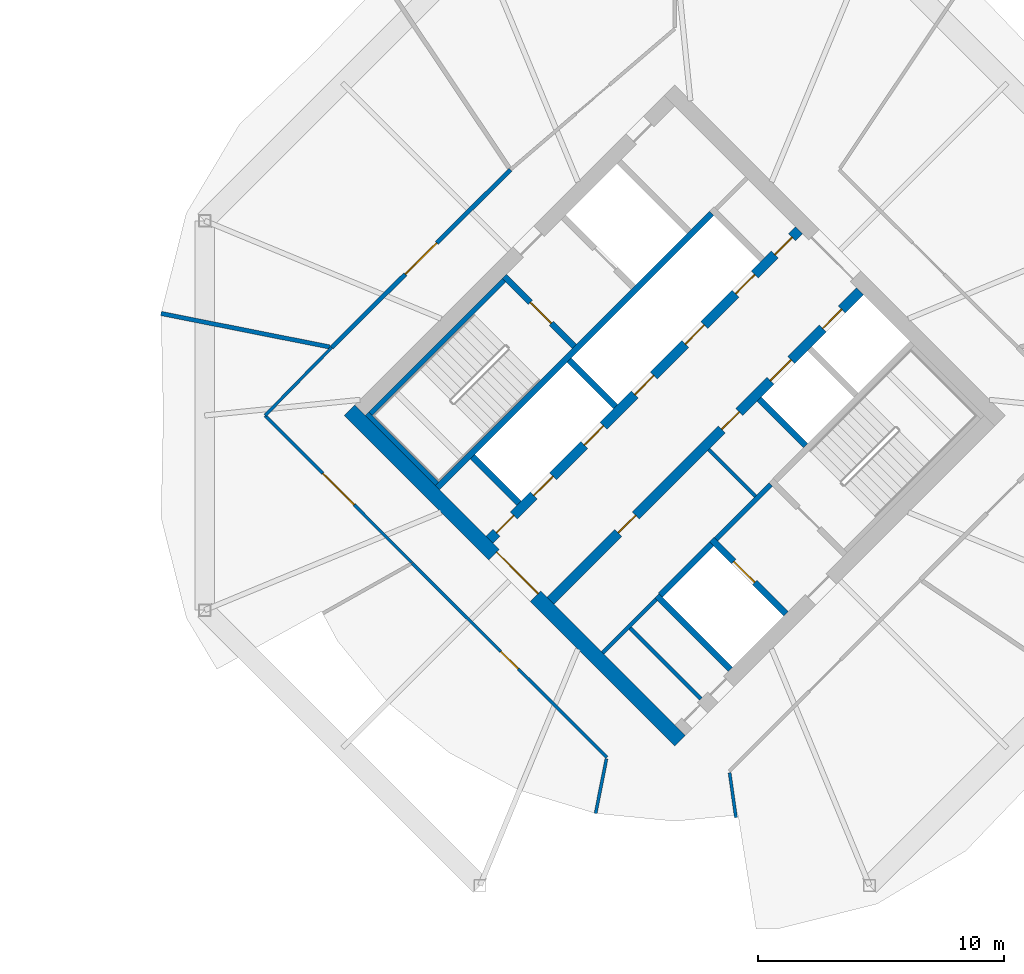
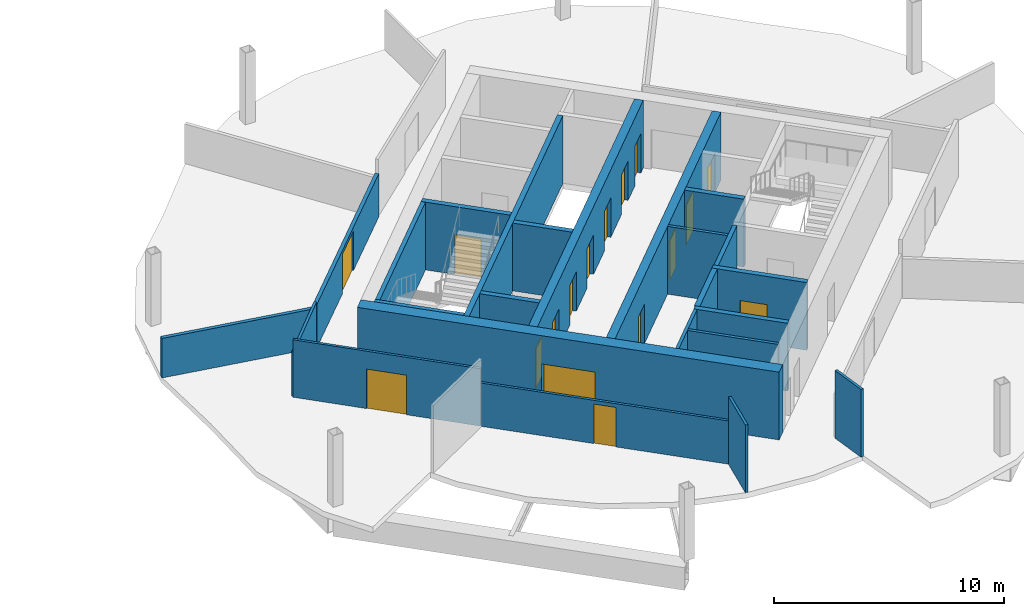
# One storey, part 7 of 10: 24 walls, 17 doors, 17 openings.
"""IFC4 building model written with IfcOpenShell, lengths in metres."""

import ifcopenshell
import ifcopenshell.guid

model = None  # the IFC model being written
_history = None  # IfcOwnerHistory: only IFC2X3 demands one
_inside = {}  # id of a spatial element -> (the spatial element, [elements in it])
_under = {}  # id of a project, library or spatial element -> (it, [spatial elements below it])
_declared = {}  # id of a project -> (the project, [libraries it declares])
_typed = {}  # id of a type object -> (the type object, [elements of that type])
_made_of = {}  # id of a material, layer set ... -> (it, [elements and type objects made of it])


def new_model(schema):
    """Start an empty IFC model of exactly this schema.

    Asked for "IFC4X3", IfcOpenShell would pick the latest addendum, in which some entities
    have other attributes; the version numbers below select the first issue.
    IFC2X3 requires an IfcOwnerHistory on every rooted entity: one is made here for all.
    """
    global model, _history
    if schema == "IFC4X3":
        model = ifcopenshell.file(schema_version=(4, 3, 0, 0))
    else:
        model = ifcopenshell.file(schema=schema)
    _inside.clear()
    _under.clear()
    _declared.clear()
    _typed.clear()
    _made_of.clear()
    _history = None
    if model.schema == "IFC2X3":
        org = make("IfcOrganization", Name="unknown")
        user = make(
            "IfcPersonAndOrganization",
            ThePerson=make("IfcPerson", FamilyName="unknown"),
            TheOrganization=org,
        )
        app = make(
            "IfcApplication",
            ApplicationDeveloper=org,
            Version="unknown",
            ApplicationFullName="unknown",
            ApplicationIdentifier="unknown",
        )
        _history = make(
            "IfcOwnerHistory",
            OwningUser=user,
            OwningApplication=app,
            ChangeAction="ADDED",
            CreationDate=0,
        )
    return model


def make(cls, **values):
    """One entity of the class cls with the attributes given. An attribute that is None is left unset."""
    return model.create_entity(
        cls, **{name: value for name, value in values.items() if value is not None}
    )


def rooted(cls, **values):
    """An entity with a GlobalId (a new one), such as an element, a storey or a relation."""
    return make(cls, GlobalId=ifcopenshell.guid.new(), OwnerHistory=_history, **values)


def si_unit(unit_type, name, prefix=None):
    """IfcSIUnit, for example si_unit("LENGTHUNIT", "METRE", prefix="MILLI")."""
    return make("IfcSIUnit", UnitType=unit_type, Prefix=prefix, Name=name)


def assignment(units):
    """IfcUnitAssignment: the units of a project."""
    return None if units is None else make("IfcUnitAssignment", Units=units)


def point(xyz):
    """IfcCartesianPoint."""
    return None if xyz is None else make("IfcCartesianPoint", Coordinates=xyz)


def direction(xyz):
    """IfcDirection."""
    return None if xyz is None else make("IfcDirection", DirectionRatios=xyz)


def frame(location, z_axis=None, x_axis=None):
    """IfcAxis2Placement3D, a coordinate frame: its origin and axes. An axis left out is left unset."""
    return make(
        "IfcAxis2Placement3D",
        Location=point(location),
        Axis=direction(z_axis),
        RefDirection=direction(x_axis),
    )


def frame_2d(location, x_axis=None):
    """IfcAxis2Placement2D, a coordinate frame in the plane: its origin and x axis."""
    return make(
        "IfcAxis2Placement2D", Location=point(location), RefDirection=direction(x_axis)
    )


def origin():
    """The frame at (0, 0, 0) with its axes left unset."""
    return frame((0.0, 0.0, 0.0))


def place(relative_to, where):
    """IfcLocalPlacement: puts the frame where relative to a parent placement (None: the world)."""
    return make(
        "IfcLocalPlacement", PlacementRelTo=relative_to, RelativePlacement=where
    )


def context(
    kind, dimensions, precision=None, world=None, true_north=None, identifier=None
):
    """IfcGeometricRepresentationContext, for example the 3D "Model" context."""
    return make(
        "IfcGeometricRepresentationContext",
        ContextIdentifier=identifier,
        ContextType=kind,
        CoordinateSpaceDimension=dimensions,
        Precision=precision,
        WorldCoordinateSystem=world,
        TrueNorth=true_north,
    )


def subcontext(parent, identifier, kind, view, scale=None):
    """IfcGeometricRepresentationSubContext, for example "Body" below "Model"."""
    return make(
        "IfcGeometricRepresentationSubContext",
        ContextIdentifier=identifier,
        ContextType=kind,
        ParentContext=parent,
        TargetScale=scale,
        TargetView=view,
    )


def project(units=None, contexts=None):
    """IfcProject with its units and contexts."""
    return rooted(
        "IfcProject",
        Name="project",
        RepresentationContexts=contexts,
        UnitsInContext=assignment(units),
    )


def spatial(cls, under=None, at=None, **own):
    """A site, building, storey or space (cls), placed at a placement, below another one or the project."""
    s = rooted(cls, ObjectPlacement=at, **own)
    if under is not None:
        _under.setdefault(under.id(), (under, []))[1].append(s)
    return s


def profile(cls, at=None, kind="AREA", **sizes):
    """A parametric profile (cls). Its sizes go by their IFC names, for example OverallWidth=200.0."""
    return make(cls, ProfileType=kind, Position=at, **sizes)


def rectangle(**sizes):
    """IfcRectangleProfileDef."""
    return profile("IfcRectangleProfileDef", **sizes)


def extrude(swept, where, along, depth):
    """IfcExtrudedAreaSolid: the profile swept, set in the frame where, extruded along a direction by depth."""
    return make(
        "IfcExtrudedAreaSolid",
        SweptArea=swept,
        Position=where,
        ExtrudedDirection=direction(along),
        Depth=depth,
    )


def shape(context_of_items, identifier, shape_type, items):
    """IfcShapeRepresentation: the items that make up one representation, for example the "Body"."""
    return make(
        "IfcShapeRepresentation",
        ContextOfItems=context_of_items,
        RepresentationIdentifier=identifier,
        RepresentationType=shape_type,
        Items=items,
    )


def material(Name=None, Category=None):
    """IfcMaterial."""
    return make("IfcMaterial", Name=Name, Category=Category)


def layer(
    of_material, thickness, ventilated=None, Name=None, Category=None, Priority=None
):
    """IfcMaterialLayer: one layer of a wall or slab, of a material (None: an air gap)."""
    return make(
        "IfcMaterialLayer",
        Material=of_material,
        LayerThickness=thickness,
        IsVentilated=ventilated,
        Name=Name,
        Category=Category,
        Priority=Priority,
    )


def layer_set(layers, Name=None):
    """IfcMaterialLayerSet."""
    return make("IfcMaterialLayerSet", MaterialLayers=layers, LayerSetName=Name)


def made_of(thing, what):
    """Note that an element or type object is made of a material, layer set ...; save() writes the relation."""
    if what is not None:
        _made_of.setdefault(what.id(), (what, []))[1].append(thing)
    return thing


def type_object(cls, material=None, **own):
    """A type object (cls), such as IfcWallType, which elements share."""
    return made_of(rooted(cls, **own), material)


def element(
    cls,
    number,
    at=None,
    inside=None,
    cuts=None,
    type_object=None,
    material=None,
    context=None,
    identifier="Body",
    shape_type=None,
    held_by="IfcProductDefinitionShape",
    body=None,
    shapes=None,
    **own,
):
    """One element of the class cls, such as IfcWall. Its Tag is "e" and its number.

    at: its placement. inside: the storey or other place that contains it. cuts: it is an
    opening in that element (IfcRelVoidsElement). A single representation is given by context,
    identifier, shape_type and body (its items); several are given by shapes. held_by: the class
    of the entity that holds the representations. save() writes the other relations.
    """
    e = rooted(cls, Tag="e%d" % number, ObjectPlacement=at, **own)
    if body is not None:
        shapes = [shape(context, identifier, shape_type, body)]
    if shapes is not None:
        e.Representation = make(held_by, Representations=shapes)
    if inside is not None:
        _inside.setdefault(inside.id(), (inside, []))[1].append(e)
    if cuts is not None:
        rooted(
            "IfcRelVoidsElement", RelatingBuildingElement=cuts, RelatedOpeningElement=e
        )
    if type_object is not None:
        _typed.setdefault(type_object.id(), (type_object, []))[1].append(e)
    return made_of(e, material)


def fill(opening, filler):
    """IfcRelFillsElement: the door or window that sits in an opening."""
    return rooted(
        "IfcRelFillsElement",
        RelatingOpeningElement=opening,
        RelatedBuildingElement=filler,
    )


def aggregate(whole, parts):
    """IfcRelAggregates: a whole, such as a stair, and the parts it consists of."""
    return rooted("IfcRelAggregates", RelatingObject=whole, RelatedObjects=parts)


def save(model, path):
    """Write the relations noted so far, then the file.

    IfcRelAggregates (storeys below a building ...), IfcRelContainedInSpatialStructure (elements
    in a storey), IfcRelDefinesByType, IfcRelAssociatesMaterial and IfcRelDeclares: one each for
    every whole, place, type object, material and project.
    """
    for whole, parts in _under.values():
        aggregate(whole, parts)
    for where, things in _inside.values():
        rooted(
            "IfcRelContainedInSpatialStructure",
            RelatedElements=things,
            RelatingStructure=where,
        )
    for kind, things in _typed.values():
        rooted("IfcRelDefinesByType", RelatedObjects=things, RelatingType=kind)
    for what, things in _made_of.values():
        rooted("IfcRelAssociatesMaterial", RelatedObjects=things, RelatingMaterial=what)
    for by, libraries in _declared.values():
        rooted("IfcRelDeclares", RelatingContext=by, RelatedDefinitions=libraries)
    model.write(path)


model = new_model("IFC4")

# Units and contexts
model_context = context("Model", 3, precision=1e-05, world=origin(), true_north=direction((0.0, 1.0)))
body_context = subcontext(model_context, "Body", "Model", "MODEL_VIEW")
ifc_project = project(units=[si_unit("LENGTHUNIT", "METRE"), si_unit("AREAUNIT", "SQUARE_METRE"), si_unit("VOLUMEUNIT", "CUBIC_METRE"), si_unit("PLANEANGLEUNIT", "RADIAN"), si_unit("MASSUNIT", "GRAM", prefix="KILO")], contexts=[model_context])

# Site, building, storey
site_placement = place(None, origin())
site = spatial("IfcSite", under=ifc_project, at=site_placement, CompositionType="ELEMENT")
building_placement = place(site_placement, origin())
building = spatial("IfcBuilding", under=site, at=building_placement, Name="Ogive Gate Towers", CompositionType="ELEMENT")
storey_placement = place(building_placement, frame((0.0, 0.0, 212.39990234375)))
storey = spatial("IfcBuildingStorey", under=building, at=storey_placement, Name="L51", CompositionType="ELEMENT", Elevation=212.39990234375)

# Wall
ifc_material_1 = material(Name="Gypsum board acoustic partition")
ifc_layer_1 = layer(ifc_material_1, 0.175048828125)
ifc_layer_set_1 = layer_set([ifc_layer_1], Name="Acoustic partition 175")
wall_type_1 = type_object("IfcWallType", Name="Acoustic partition 175", PredefinedType="PARTITIONING", material=ifc_layer_set_1)
wall_1_placement = place(storey_placement, frame((15.108154296875, 4.147216796875, 0.0), z_axis=(0.0, 0.0, 1.0), x_axis=(0.980860372201, -0.194712429613, 0.0)))
element("IfcWall", 1, at=wall_1_placement, inside=storey, type_object=wall_type_1, Name="Partition T2-L51-005", PredefinedType="PARTITIONING", context=body_context, shape_type="SweptSolid", body=[
    extrude(rectangle(XDim=6.991455078125, YDim=0.175048828125, at=frame_2d((3.49560546875, 0.0))), origin(), (0.0, 0.0, 1.0), 2.10009765625),
])

# Wall, opening, door
wall_2_placement = place(storey_placement, frame((22.051513671875, 2.768798828125, 0.0), z_axis=(0.0, 0.0, 1.0), x_axis=(0.709200559125, 0.705006785029, 0.0)))
wall_2 = element("IfcWall", 2, at=wall_2_placement, inside=storey, type_object=wall_type_1, Name="Partition T2-L51-013", PredefinedType="PARTITIONING", context=body_context, shape_type="SweptSolid", body=[
    extrude(rectangle(XDim=10.245849609375, YDim=0.175048828125, at=frame_2d((5.123046875, 0.0))), origin(), (0.0, 0.0, 1.0), 2.300048828125),
])
opening_1_placement = place(wall_2_placement, frame((4.222900390625, 0.0, 0.0)))
opening_1 = element("IfcOpeningElement", 3, at=opening_1_placement, cuts=wall_2, Name="Opening T2-L51-D03", PredefinedType="OPENING", context=body_context, shape_type="SweptSolid", body=[
    extrude(rectangle(XDim=1.800048828125, YDim=2.10009765625, at=frame_2d((0.89990234375, 1.050048828125))), frame((0.0, 0.09765625, 0.0), z_axis=(0.0, -1.0, 0.0), x_axis=(1.0, 0.0, 0.0)), (0.0, 0.0, 1.0), 0.195068359375),
])
ifc_material_2 = material(Name="Timber door", Category="wood")
door_type_1 = type_object("IfcDoorType", Name="Door pair 1800", OperationType="NOTDEFINED", PredefinedType="DOOR", material=ifc_material_2)
door_1_placement = place(opening_1_placement, origin())
door_1 = element("IfcDoor", 4, at=door_1_placement, inside=storey, type_object=door_type_1, Name="Door T2-L51-D03", OperationType="DOUBLE_DOOR_DOUBLE_SWING", OverallHeight=2.10009765625, OverallWidth=1.800048828125, PredefinedType="DOOR", context=body_context, shape_type="SweptSolid", body=[
    extrude(rectangle(XDim=1.800048828125, YDim=2.10009765625, at=frame_2d((0.89990234375, 1.050048828125))), frame((0.0, 0.02490234375, 0.0), z_axis=(0.0, -1.0, 0.0), x_axis=(1.0, 0.0, 0.0)), (0.0, 0.0, 1.0), 0.050048828125),
])
fill(opening_1, door_1)

# Wall
ifc_material_3 = material(Name="Masonry blockwork", Category="masonry")
ifc_layer_2 = layer(ifc_material_3, 0.199951171875)
ifc_layer_set_2 = layer_set([ifc_layer_2], Name="Blockwork wall 200 mm")
wall_type_2 = type_object("IfcWallType", Name="Blockwork wall 200 mm", PredefinedType="PARTITIONING", material=ifc_layer_set_2)
wall_3_placement = place(storey_placement, frame((37.679443359375, -5.0380859375, 0.0), z_axis=(0.0, 0.0, 1.0), x_axis=(0.707106781187, 0.707106781187, 0.0)))
element("IfcWall", 5, at=wall_3_placement, inside=storey, type_object=wall_type_2, Name="T2 L51 Blockwork wall 200 mm", PredefinedType="PARTITIONING", context=body_context, shape_type="SweptSolid", body=[
    extrude(rectangle(XDim=3.14990234375, YDim=0.199951171875, at=frame_2d((1.574951171875, 0.0))), origin(), (0.0, 0.0, 1.0), 3.60009765625),
])

# Wall, opening, door
ifc_material_4 = material(Name="Concrete C60/75", Category="concrete")
ifc_layer_3 = layer(ifc_material_4, 0.60009765625)
ifc_layer_set_3 = layer_set([ifc_layer_3], Name="Core wall 600 mm")
wall_type_3 = type_object("IfcWallType", Name="Core wall 600 mm", PredefinedType="SHEAR", material=ifc_layer_set_3)
wall_4_placement = place(storey_placement, frame((36.212158203125, -13.222900390625, 0.0), z_axis=(0.0, 0.0, 1.0), x_axis=(-0.707106781187, 0.707106781187, 0.0)))
wall_4 = element("IfcWall", 6, at=wall_4_placement, inside=storey, type_object=wall_type_3, Name="T2 L51 Core wall 600 mm", PredefinedType="SHEAR", context=body_context, shape_type="SweptSolid", body=[
    extrude(rectangle(XDim=19.0, YDim=0.60009765625, at=frame_2d((9.5, 0.0))), origin(), (0.0, 0.0, 1.0), 3.60009765625),
])
opening_2_placement = place(wall_4_placement, frame((8.300048828125, 0.0, 0.0)))
opening_2 = element("IfcOpeningElement", 7, at=opening_2_placement, cuts=wall_4, Name="Opening KD-T2-L51-01", PredefinedType="OPENING", context=body_context, shape_type="SweptSolid", body=[
    extrude(rectangle(XDim=2.39990234375, YDim=2.10009765625, at=frame_2d((1.199951171875, 1.050048828125))), frame((0.0, 0.31005859375, 0.0), z_axis=(0.0, -1.0, 0.0), x_axis=(1.0, 0.0, 0.0)), (0.0, 0.0, 1.0), 0.6201171875),
])
ifc_material_5 = material(Name="Steel fire door", Category="steel")
door_type_2 = type_object("IfcDoorType", Name="Core double door FD60S 2400 x 2100", OperationType="DOUBLE_DOOR_SINGLE_SWING", PredefinedType="DOOR", material=ifc_material_5)
door_2_placement = place(opening_2_placement, origin())
door_2 = element("IfcDoor", 8, at=door_2_placement, inside=storey, type_object=door_type_2, Name="T2 L51 Core door double", OperationType="DOUBLE_DOOR_SINGLE_SWING", OverallHeight=2.10009765625, OverallWidth=2.39990234375, PredefinedType="DOOR", context=body_context, shape_type="SweptSolid", body=[
    extrude(rectangle(XDim=2.39990234375, YDim=2.10009765625, at=frame_2d((1.199951171875, 1.050048828125))), frame((0.0, -0.125, 0.0), z_axis=(0.0, -1.0, 0.0), x_axis=(1.0, 0.0, 0.0)), (0.0, 0.0, 1.0), 0.050048828125),
])
fill(opening_2, door_2)

# Walls
ifc_material_6 = material(Name="Gypsum board partition")
ifc_layer_4 = layer(ifc_material_6, 0.125)
ifc_layer_set_4 = layer_set([ifc_layer_4], Name="Partition 125")
wall_type_4 = type_object("IfcWallType", Name="Partition 125", PredefinedType="PARTITIONING", material=ifc_layer_set_4)
wall_5_placement = place(storey_placement, frame((32.781005859375, -16.182373046875, 0.0), z_axis=(0.0, 0.0, 1.0), x_axis=(0.195183876963, 0.980766666529, 0.0)))
element("IfcWall", 9, at=wall_5_placement, inside=storey, type_object=wall_type_4, Name="Partition T2-L51-007", PredefinedType="PARTITIONING", context=body_context, shape_type="SweptSolid", body=[
    extrude(rectangle(XDim=2.2666015625, YDim=0.125, at=frame_2d((1.13330078125, 0.0))), origin(), (0.0, 0.0, 1.0), 3.60009765625),
])
wall_6_placement = place(storey_placement, frame((38.4892578125, -16.355224609375, 0.0), z_axis=(0.0, 0.0, 1.0), x_axis=(-0.139994797411, 0.990152239152, 0.0)))
element("IfcWall", 10, at=wall_6_placement, inside=storey, type_object=wall_type_4, Name="Partition T2-L51-008", PredefinedType="PARTITIONING", context=body_context, shape_type="SweptSolid", body=[
    extrude(rectangle(XDim=1.844970703125, YDim=0.125, at=frame_2d((0.92236328125, 0.0))), origin(), (0.0, 0.0, 1.0), 3.60009765625),
])

# Wall, opening, door
wall_7_placement = place(storey_placement, frame((33.235595703125, -13.898193359375, 0.0), z_axis=(0.0, 0.0, 1.0), x_axis=(-0.707990779582, 0.706221676265, 0.0)))
wall_7 = element("IfcWall", 11, at=wall_7_placement, inside=storey, type_object=wall_type_4, Name="Partition T2-L51-010", PredefinedType="PARTITIONING", context=body_context, shape_type="SweptSolid", body=[
    extrude(rectangle(XDim=11.17822265625, YDim=0.125, at=frame_2d((5.589111328125, 0.0))), origin(), (0.0, 0.0, 1.0), 2.300048828125),
])
opening_3_placement = place(wall_7_placement, frame((5.089111328125, 0.0, 0.0)))
opening_3 = element("IfcOpeningElement", 12, at=opening_3_placement, cuts=wall_7, Name="Opening T2-L51-D01", PredefinedType="OPENING", context=body_context, shape_type="SweptSolid", body=[
    extrude(rectangle(XDim=1.0, YDim=2.10009765625, at=frame_2d((0.5, 1.050048828125))), frame((0.0, 0.072509765625, 0.0), z_axis=(0.0, -1.0, 0.0), x_axis=(1.0, 0.0, 0.0)), (0.0, 0.0, 1.0), 0.14501953125),
])
door_type_3 = type_object("IfcDoorType", Name="Door 1000", OperationType="NOTDEFINED", PredefinedType="DOOR", material=ifc_material_2)
door_3_placement = place(opening_3_placement, origin())
door_3 = element("IfcDoor", 13, at=door_3_placement, inside=storey, type_object=door_type_3, Name="Door T2-L51-D01", OperationType="SINGLE_SWING_LEFT", OverallHeight=2.10009765625, OverallWidth=1.0, PredefinedType="DOOR", context=body_context, shape_type="SweptSolid", body=[
    extrude(rectangle(XDim=1.0, YDim=2.10009765625, at=frame_2d((0.5, 1.050048828125))), frame((0.0, 0.02490234375, 0.0), z_axis=(0.0, -1.0, 0.0), x_axis=(1.0, 0.0, 0.0)), (0.0, 0.0, 1.0), 0.050048828125),
])
fill(opening_3, door_3)

wall_8_placement = place(storey_placement, frame((25.313232421875, -5.9892578125, 0.0), z_axis=(0.0, 0.0, 1.0), x_axis=(-0.70612472997, 0.708087470391, 0.0)))
wall_8 = element("IfcWall", 14, at=wall_8_placement, inside=storey, type_object=wall_type_4, Name="Partition T2-L51-011", PredefinedType="PARTITIONING", context=body_context, shape_type="SweptSolid", body=[
    extrude(rectangle(XDim=8.458251953125, YDim=0.125, at=frame_2d((4.22900390625, 0.0))), origin(), (0.0, 0.0, 1.0), 3.050048828125),
])
opening_4_placement = place(wall_8_placement, frame((3.3291015625, 0.0, 0.0)))
opening_4 = element("IfcOpeningElement", 15, at=opening_4_placement, cuts=wall_8, Name="Opening T2-L51-D02", PredefinedType="OPENING", context=body_context, shape_type="SweptSolid", body=[
    extrude(rectangle(XDim=1.800048828125, YDim=2.10009765625, at=frame_2d((0.89990234375, 1.050048828125))), frame((0.0, 0.072509765625, 0.0), z_axis=(0.0, -1.0, 0.0), x_axis=(1.0, 0.0, 0.0)), (0.0, 0.0, 1.0), 0.14501953125),
])
door_4_placement = place(opening_4_placement, origin())
door_4 = element("IfcDoor", 16, at=door_4_placement, inside=storey, type_object=door_type_1, Name="Door T2-L51-D02", OperationType="DOUBLE_DOOR_DOUBLE_SWING", OverallHeight=2.10009765625, OverallWidth=1.800048828125, PredefinedType="DOOR", context=body_context, shape_type="SweptSolid", body=[
    extrude(rectangle(XDim=1.800048828125, YDim=2.10009765625, at=frame_2d((0.89990234375, 1.050048828125))), frame((0.0, 0.02490234375, 0.0), z_axis=(0.0, -1.0, 0.0), x_axis=(1.0, 0.0, 0.0)), (0.0, 0.0, 1.0), 0.050048828125),
])
fill(opening_4, door_4)

# Walls
wall_9_placement = place(storey_placement, frame((19.340576171875, 0.0, 0.0), z_axis=(0.0, 0.0, 1.0), x_axis=(0.699601338328, 0.714533391389, 0.0)))
element("IfcWall", 17, at=wall_9_placement, inside=storey, type_object=wall_type_4, Name="Partition T2-L51-012", PredefinedType="PARTITIONING", context=body_context, shape_type="SweptSolid", body=[
    extrude(rectangle(XDim=3.875, YDim=0.125, at=frame_2d((1.9375, 0.0))), origin(), (0.0, 0.0, 1.0), 2.400146484375),
])
ifc_layer_5 = layer(ifc_material_6, 0.14990234375)
ifc_layer_set_5 = layer_set([ifc_layer_5], Name="Room partition 150 mm")
wall_type_5 = type_object("IfcWallType", Name="Room partition 150 mm", PredefinedType="PARTITIONING", material=ifc_layer_set_5)
wall_10_placement = place(storey_placement, frame((33.0654296875, -9.652099609375, 0.0), z_axis=(0.0, 0.0, 1.0), x_axis=(0.707146476181, 0.707067083964, 0.0)))
element("IfcWall", 18, at=wall_10_placement, inside=storey, type_object=wall_type_5, Name="T2 L51 Room partition 150 mm", PredefinedType="PARTITIONING", context=body_context, shape_type="SweptSolid", body=[
    extrude(rectangle(XDim=3.0751953125, YDim=0.14990234375, at=frame_2d((1.53759765625, 0.0))), origin(), (0.0, 0.0, 1.0), 3.60009765625),
])
wall_11_placement = place(storey_placement, frame((37.060791015625, -11.52587890625, 0.0), z_axis=(0.0, 0.0, 1.0), x_axis=(-0.707106781187, 0.707106781187, 0.0)))
element("IfcWall", 19, at=wall_11_placement, inside=storey, type_object=wall_type_5, Name="T2 L51 Room partition 150 mm", PredefinedType="PARTITIONING", context=body_context, shape_type="SweptSolid", body=[
    extrude(rectangle(XDim=4.0751953125, YDim=0.14990234375, at=frame_2d((2.03759765625, 0.0))), origin(), (0.0, 0.0, 1.0), 3.60009765625),
])
wall_12_placement = place(storey_placement, frame((39.2880859375, -3.2880859375, 0.0), z_axis=(0.0, 0.0, 1.0), x_axis=(-0.707106781187, 0.707106781187, 0.0)))
element("IfcWall", 20, at=wall_12_placement, inside=storey, type_object=wall_type_5, Name="T2 L51 Room partition 150 mm", PredefinedType="PARTITIONING", context=body_context, shape_type="SweptSolid", body=[
    extrude(rectangle(XDim=2.699951171875, YDim=0.14990234375, at=frame_2d((1.35009765625, 0.0))), origin(), (0.0, 0.0, 1.0), 3.60009765625),
])
ifc_layer_6 = layer(ifc_material_4, 0.25)
ifc_layer_set_6 = layer_set([ifc_layer_6], Name="Shaft wall 250 mm")
wall_type_6 = type_object("IfcWallType", Name="Shaft wall 250 mm", PredefinedType="SHEAR", material=ifc_layer_set_6)
wall_13_placement = place(storey_placement, frame((35.41650390625, -7.30078125, 0.0), z_axis=(0.0, 0.0, 1.0), x_axis=(0.707148157867, 0.707065402085, 0.0)))
element("IfcWall", 21, at=wall_13_placement, inside=storey, type_object=wall_type_6, Name="T2 L51 Shaft wall 250 mm", PredefinedType="SHEAR", context=body_context, shape_type="SweptSolid", body=[
    extrude(rectangle(XDim=2.9501953125, YDim=0.25, at=frame_2d((1.47509765625, 0.0))), origin(), (0.0, 0.0, 1.0), 3.60009765625),
])
wall_14_placement = place(storey_placement, frame((26.347900390625, -2.9345703125, 0.0), z_axis=(0.0, 0.0, 1.0), x_axis=(0.707106781187, 0.707106781187, 0.0)))
element("IfcWall", 22, at=wall_14_placement, inside=storey, type_object=wall_type_6, Name="T2 L51 Shaft wall 250 mm", PredefinedType="SHEAR", context=body_context, shape_type="SweptSolid", body=[
    extrude(rectangle(XDim=15.775146484375, YDim=0.25, at=frame_2d((7.8876953125, 0.0))), origin(), (0.0, 0.0, 1.0), 3.60009765625),
])
wall_15_placement = place(storey_placement, frame((29.67138671875, -3.57080078125, 0.0), z_axis=(0.0, 0.0, 1.0), x_axis=(-0.707152414227, 0.707061145201, 0.0)))
element("IfcWall", 23, at=wall_15_placement, inside=storey, type_object=wall_type_6, Name="T2 L51 Shaft wall 250 mm", PredefinedType="SHEAR", context=body_context, shape_type="SweptSolid", body=[
    extrude(rectangle(XDim=2.675048828125, YDim=0.25, at=frame_2d((1.33740234375, 0.0))), origin(), (0.0, 0.0, 1.0), 3.60009765625),
])
wall_16_placement = place(storey_placement, frame((38.2626953125, -10.32373046875, 0.0), z_axis=(0.0, 0.0, 1.0), x_axis=(-0.707106781187, 0.707106781187, 0.0)))
element("IfcWall", 24, at=wall_16_placement, inside=storey, type_object=wall_type_6, Name="T2 L51 Shaft wall 250 mm", PredefinedType="SHEAR", context=body_context, shape_type="SweptSolid", body=[
    extrude(rectangle(XDim=4.22509765625, YDim=0.25, at=frame_2d((2.112548828125, 0.0))), origin(), (0.0, 0.0, 1.0), 3.60009765625),
])

# Wall, opening, door
wall_17_placement = place(storey_placement, frame((40.525390625, -8.06103515625, 0.0), z_axis=(0.0, 0.0, 1.0), x_axis=(-0.707078225638, 0.707135335582, 0.0)))
wall_17 = element("IfcWall", 25, at=wall_17_placement, inside=storey, type_object=wall_type_6, Name="T2 L51 Shaft wall 250 mm", PredefinedType="SHEAR", context=body_context, shape_type="SweptSolid", body=[
    extrude(rectangle(XDim=4.27490234375, YDim=0.25, at=frame_2d((2.137451171875, 0.0))), origin(), (0.0, 0.0, 1.0), 3.60009765625),
])
opening_5_placement = place(wall_17_placement, frame((1.800048828125, 0.0, 0.0)))
opening_5 = element("IfcOpeningElement", 26, at=opening_5_placement, cuts=wall_17, Name="Opening LD-T2-L51-13", PredefinedType="OPENING", context=body_context, shape_type="SweptSolid", body=[
    extrude(rectangle(XDim=1.199951171875, YDim=2.10009765625, at=frame_2d((0.60009765625, 1.050048828125))), frame((0.0, 0.135009765625, 0.0), z_axis=(0.0, -1.0, 0.0), x_axis=(1.0, 0.0, 0.0)), (0.0, 0.0, 1.0), 0.27001953125),
])
ifc_material_7 = material(Name="Stainless steel landing door", Category="steel")
door_type_4 = type_object("IfcDoorType", Name="Landing door 1200 x 2100", OperationType="SLIDING_TO_LEFT", PredefinedType="DOOR", material=ifc_material_7)
door_5_placement = place(opening_5_placement, origin())
door_5 = element("IfcDoor", 27, at=door_5_placement, inside=storey, type_object=door_type_4, Name="T2 L51 Lift landing door FF2", OperationType="SLIDING_TO_LEFT", OverallHeight=2.10009765625, OverallWidth=1.199951171875, PredefinedType="DOOR", context=body_context, shape_type="SweptSolid", body=[
    extrude(rectangle(XDim=1.199951171875, YDim=2.10009765625, at=frame_2d((0.60009765625, 1.050048828125))), frame((0.0, 0.02490234375, 0.0), z_axis=(0.0, -1.0, 0.0), x_axis=(1.0, 0.0, 0.0)), (0.0, 0.0, 1.0), 0.050048828125),
])
fill(opening_5, door_5)

# Wall
wall_18_placement = place(storey_placement, frame((33.595703125, 0.353515625, 0.0), z_axis=(0.0, 0.0, 1.0), x_axis=(-0.707061145201, 0.707152414227, 0.0)))
element("IfcWall", 28, at=wall_18_placement, inside=storey, type_object=wall_type_6, Name="T2 L51 Shaft wall 250 mm", PredefinedType="SHEAR", context=body_context, shape_type="SweptSolid", body=[
    extrude(rectangle(XDim=2.675048828125, YDim=0.25, at=frame_2d((1.33740234375, 0.0))), origin(), (0.0, 0.0, 1.0), 3.60009765625),
])

# Wall, opening, door
wall_19_placement = place(storey_placement, frame((31.91650390625, 2.810791015625, 0.0), z_axis=(0.0, 0.0, 1.0), x_axis=(-0.707106781187, 0.707106781187, 0.0)))
wall_19 = element("IfcWall", 29, at=wall_19_placement, inside=storey, type_object=wall_type_6, Name="T2 L51 Shaft wall 250 mm", PredefinedType="SHEAR", context=body_context, shape_type="SweptSolid", body=[
    extrude(rectangle(XDim=4.025146484375, YDim=0.25, at=frame_2d((2.0126953125, 0.0))), origin(), (0.0, 0.0, 1.0), 3.60009765625),
])
opening_6_placement = place(wall_19_placement, frame((1.324951171875, 0.0, 0.0)))
opening_6 = element("IfcOpeningElement", 30, at=opening_6_placement, cuts=wall_19, Name="Opening KD-T2-L51-16", PredefinedType="OPENING", context=body_context, shape_type="SweptSolid", body=[
    extrude(rectangle(XDim=1.199951171875, YDim=2.10009765625, at=frame_2d((0.60009765625, 1.050048828125))), frame((0.0, 0.135009765625, 0.0), z_axis=(0.0, -1.0, 0.0), x_axis=(1.0, 0.0, 0.0)), (0.0, 0.0, 1.0), 0.27001953125),
])
door_type_5 = type_object("IfcDoorType", Name="Core door FD60S 1200 x 2100", OperationType="NOTDEFINED", PredefinedType="DOOR", material=ifc_material_5)
door_6_placement = place(opening_6_placement, origin())
door_6 = element("IfcDoor", 31, at=door_6_placement, inside=storey, type_object=door_type_5, Name="T2 L51 Stair door", OperationType="SINGLE_SWING_LEFT", OverallHeight=2.10009765625, OverallWidth=1.199951171875, PredefinedType="DOOR", context=body_context, shape_type="SweptSolid", body=[
    extrude(rectangle(XDim=1.199951171875, YDim=2.10009765625, at=frame_2d((0.60009765625, 1.050048828125))), frame((0.0, 0.02490234375, 0.0), z_axis=(0.0, -1.0, 0.0), x_axis=(1.0, 0.0, 0.0)), (0.0, 0.0, 1.0), 0.050048828125),
])
fill(opening_6, door_6)

# Wall
wall_20_placement = place(storey_placement, frame((41.321044921875, -1.2197265625, 0.0), z_axis=(0.0, 0.0, 1.0), x_axis=(-0.707106781187, 0.707106781187, 0.0)))
element("IfcWall", 32, at=wall_20_placement, inside=storey, type_object=wall_type_6, Name="T2 L51 Shaft wall 250 mm", PredefinedType="SHEAR", context=body_context, shape_type="SweptSolid", body=[
    extrude(rectangle(XDim=2.675048828125, YDim=0.25, at=frame_2d((1.33740234375, 0.0))), origin(), (0.0, 0.0, 1.0), 3.60009765625),
])

# Wall, openings, doors
ifc_layer_7 = layer(ifc_material_4, 0.39990234375)
ifc_layer_set_7 = layer_set([ifc_layer_7], Name="Spine wall 400 mm")
wall_type_7 = type_object("IfcWallType", Name="Spine wall 400 mm", PredefinedType="SHEAR", material=ifc_layer_set_7)
wall_21_placement = place(storey_placement, frame((30.944091796875, -7.53076171875, 0.0), z_axis=(0.0, 0.0, 1.0), x_axis=(0.707106781187, 0.707106781187, 0.0)))
wall_21 = element("IfcWall", 33, at=wall_21_placement, inside=storey, type_object=wall_type_7, Name="T2 L51 Spine wall 400 mm", PredefinedType="SHEAR", context=body_context, shape_type="SweptSolid", body=[
    extrude(rectangle(XDim=17.80029296875, YDim=0.39990234375, at=frame_2d((8.900146484375, 0.0))), origin(), (0.0, 0.0, 1.0), 3.60009765625),
])
opening_7_placement = place(wall_21_placement, frame((12.64990234375, 0.0, 0.0)))
opening_7 = element("IfcOpeningElement", 34, at=opening_7_placement, cuts=wall_21, Name="Opening LD-T2-L51-10", PredefinedType="OPENING", context=body_context, shape_type="SweptSolid", body=[
    extrude(rectangle(XDim=1.199951171875, YDim=2.10009765625, at=frame_2d((0.60009765625, 1.050048828125))), frame((0.0, 0.2099609375, 0.0), z_axis=(0.0, -1.0, 0.0), x_axis=(1.0, 0.0, 0.0)), (0.0, 0.0, 1.0), 0.419921875),
])
opening_8_placement = place(wall_21_placement, frame((15.64990234375, 0.0, 0.0)))
opening_8 = element("IfcOpeningElement", 35, at=opening_8_placement, cuts=wall_21, Name="Opening LD-T2-L51-11", PredefinedType="OPENING", context=body_context, shape_type="SweptSolid", body=[
    extrude(rectangle(XDim=1.10009765625, YDim=2.10009765625, at=frame_2d((0.550048828125, 1.050048828125))), frame((0.0, 0.2099609375, 0.0), z_axis=(0.0, -1.0, 0.0), x_axis=(1.0, 0.0, 0.0)), (0.0, 0.0, 1.0), 0.419921875),
])
opening_9_placement = place(wall_21_placement, frame((3.89990234375, 0.0, 0.0)))
opening_9 = element("IfcOpeningElement", 36, at=opening_9_placement, cuts=wall_21, Name="Opening KD-T2-L51-14", PredefinedType="OPENING", context=body_context, shape_type="SweptSolid", body=[
    extrude(rectangle(XDim=1.0, YDim=2.10009765625, at=frame_2d((0.5, 1.050048828125))), frame((0.0, 0.2099609375, 0.0), z_axis=(0.0, -1.0, 0.0), x_axis=(1.0, 0.0, 0.0)), (0.0, 0.0, 1.0), 0.419921875),
])
opening_10_placement = place(wall_21_placement, frame((9.85009765625, 0.0, 0.0)))
opening_10 = element("IfcOpeningElement", 37, at=opening_10_placement, cuts=wall_21, Name="Opening KD-T2-L51-15", PredefinedType="OPENING", context=body_context, shape_type="SweptSolid", body=[
    extrude(rectangle(XDim=1.0, YDim=2.10009765625, at=frame_2d((0.5, 1.050048828125))), frame((0.0, 0.2099609375, 0.0), z_axis=(0.0, -1.0, 0.0), x_axis=(1.0, 0.0, 0.0)), (0.0, 0.0, 1.0), 0.419921875),
])
door_type_6 = type_object("IfcDoorType", Name="Core door FD60S 1000 x 2100", OperationType="NOTDEFINED", PredefinedType="DOOR", material=ifc_material_5)
door_7_placement = place(opening_9_placement, origin())
door_7 = element("IfcDoor", 38, at=door_7_placement, inside=storey, type_object=door_type_6, Name="T2 L51 Core door", OperationType="SINGLE_SWING_LEFT", OverallHeight=2.10009765625, OverallWidth=1.0, PredefinedType="DOOR", context=body_context, shape_type="SweptSolid", body=[
    extrude(rectangle(XDim=1.0, YDim=2.10009765625, at=frame_2d((0.5, 1.050048828125))), frame((0.0, 0.02490234375, 0.0), z_axis=(0.0, -1.0, 0.0), x_axis=(1.0, 0.0, 0.0)), (0.0, 0.0, 1.0), 0.050048828125),
])
fill(opening_9, door_7)
door_8_placement = place(opening_10_placement, origin())
door_8 = element("IfcDoor", 39, at=door_8_placement, inside=storey, type_object=door_type_6, Name="T2 L51 Core door", OperationType="SINGLE_SWING_RIGHT", OverallHeight=2.10009765625, OverallWidth=1.0, PredefinedType="DOOR", context=body_context, shape_type="SweptSolid", body=[
    extrude(rectangle(XDim=1.0, YDim=2.10009765625, at=frame_2d((0.5, 1.050048828125))), frame((0.0, 0.02490234375, 0.0), z_axis=(0.0, -1.0, 0.0), x_axis=(1.0, 0.0, 0.0)), (0.0, 0.0, 1.0), 0.050048828125),
])
fill(opening_10, door_8)
door_type_7 = type_object("IfcDoorType", Name="Landing door 1100 x 2100", OperationType="SLIDING_TO_LEFT", PredefinedType="DOOR", material=ifc_material_7)
door_9_placement = place(opening_8_placement, origin())
door_9 = element("IfcDoor", 40, at=door_9_placement, inside=storey, type_object=door_type_7, Name="T2 L51 Lift landing door B6", OperationType="SLIDING_TO_LEFT", OverallHeight=2.10009765625, OverallWidth=1.10009765625, PredefinedType="DOOR", context=body_context, shape_type="SweptSolid", body=[
    extrude(rectangle(XDim=1.10009765625, YDim=2.10009765625, at=frame_2d((0.550048828125, 1.050048828125))), frame((0.0, 0.02490234375, 0.0), z_axis=(0.0, -1.0, 0.0), x_axis=(1.0, 0.0, 0.0)), (0.0, 0.0, 1.0), 0.050048828125),
])
fill(opening_8, door_9)
door_10_placement = place(opening_7_placement, origin())
door_10 = element("IfcDoor", 41, at=door_10_placement, inside=storey, type_object=door_type_4, Name="T2 L51 Lift landing door SVC", OperationType="SLIDING_TO_LEFT", OverallHeight=2.10009765625, OverallWidth=1.199951171875, PredefinedType="DOOR", context=body_context, shape_type="SweptSolid", body=[
    extrude(rectangle(XDim=1.199951171875, YDim=2.10009765625, at=frame_2d((0.60009765625, 1.050048828125))), frame((0.0, 0.02490234375, 0.0), z_axis=(0.0, -1.0, 0.0), x_axis=(1.0, 0.0, 0.0)), (0.0, 0.0, 1.0), 0.050048828125),
])
fill(opening_7, door_10)

wall_22_placement = place(storey_placement, frame((28.46923828125, -5.055908203125, 0.0), z_axis=(0.0, 0.0, 1.0), x_axis=(0.707106781187, 0.707106781187, 0.0)))
wall_22 = element("IfcWall", 42, at=wall_22_placement, inside=storey, type_object=wall_type_7, Name="T2 L51 Spine wall 400 mm", PredefinedType="SHEAR", context=body_context, shape_type="SweptSolid", body=[
    extrude(rectangle(XDim=17.80029296875, YDim=0.39990234375, at=frame_2d((8.900146484375, 0.0))), origin(), (0.0, 0.0, 1.0), 3.60009765625),
])
opening_11_placement = place(wall_22_placement, frame((0.39990234375, 0.0, 0.0)))
opening_11 = element("IfcOpeningElement", 43, at=opening_11_placement, cuts=wall_22, Name="Opening KD-T2-L51-03", PredefinedType="OPENING", context=body_context, shape_type="SweptSolid", body=[
    extrude(rectangle(XDim=1.0, YDim=2.10009765625, at=frame_2d((0.5, 1.050048828125))), frame((0.0, 0.2099609375, 0.0), z_axis=(0.0, -1.0, 0.0), x_axis=(1.0, 0.0, 0.0)), (0.0, 0.0, 1.0), 0.419921875),
])
opening_12_placement = place(wall_22_placement, frame((2.550048828125, 0.0, 0.0)))
opening_12 = element("IfcOpeningElement", 44, at=opening_12_placement, cuts=wall_22, Name="Opening LD-T2-L51-04", PredefinedType="OPENING", context=body_context, shape_type="SweptSolid", body=[
    extrude(rectangle(XDim=1.10009765625, YDim=2.10009765625, at=frame_2d((0.550048828125, 1.050048828125))), frame((0.0, 0.2099609375, 0.0), z_axis=(0.0, -1.0, 0.0), x_axis=(1.0, 0.0, 0.0)), (0.0, 0.0, 1.0), 0.419921875),
])
opening_13_placement = place(wall_22_placement, frame((5.449951171875, 0.0, 0.0)))
opening_13 = element("IfcOpeningElement", 45, at=opening_13_placement, cuts=wall_22, Name="Opening LD-T2-L51-05", PredefinedType="OPENING", context=body_context, shape_type="SweptSolid", body=[
    extrude(rectangle(XDim=1.10009765625, YDim=2.10009765625, at=frame_2d((0.550048828125, 1.050048828125))), frame((0.0, 0.2099609375, 0.0), z_axis=(0.0, -1.0, 0.0), x_axis=(1.0, 0.0, 0.0)), (0.0, 0.0, 1.0), 0.419921875),
])
opening_14_placement = place(wall_22_placement, frame((8.35009765625, 0.0, 0.0)))
opening_14 = element("IfcOpeningElement", 46, at=opening_14_placement, cuts=wall_22, Name="Opening LD-T2-L51-06", PredefinedType="OPENING", context=body_context, shape_type="SweptSolid", body=[
    extrude(rectangle(XDim=1.10009765625, YDim=2.10009765625, at=frame_2d((0.550048828125, 1.050048828125))), frame((0.0, 0.2099609375, 0.0), z_axis=(0.0, -1.0, 0.0), x_axis=(1.0, 0.0, 0.0)), (0.0, 0.0, 1.0), 0.419921875),
])
opening_15_placement = place(wall_22_placement, frame((11.25, 0.0, 0.0)))
opening_15 = element("IfcOpeningElement", 47, at=opening_15_placement, cuts=wall_22, Name="Opening LD-T2-L51-07", PredefinedType="OPENING", context=body_context, shape_type="SweptSolid", body=[
    extrude(rectangle(XDim=1.10009765625, YDim=2.10009765625, at=frame_2d((0.550048828125, 1.050048828125))), frame((0.0, 0.2099609375, 0.0), z_axis=(0.0, -1.0, 0.0), x_axis=(1.0, 0.0, 0.0)), (0.0, 0.0, 1.0), 0.419921875),
])
opening_16_placement = place(wall_22_placement, frame((14.14990234375, 0.0, 0.0)))
opening_16 = element("IfcOpeningElement", 48, at=opening_16_placement, cuts=wall_22, Name="Opening LD-T2-L51-08", PredefinedType="OPENING", context=body_context, shape_type="SweptSolid", body=[
    extrude(rectangle(XDim=1.10009765625, YDim=2.10009765625, at=frame_2d((0.550048828125, 1.050048828125))), frame((0.0, 0.2099609375, 0.0), z_axis=(0.0, -1.0, 0.0), x_axis=(1.0, 0.0, 0.0)), (0.0, 0.0, 1.0), 0.419921875),
])
opening_17_placement = place(wall_22_placement, frame((16.39990234375, 0.0, 0.0)))
opening_17 = element("IfcOpeningElement", 49, at=opening_17_placement, cuts=wall_22, Name="Opening KD-T2-L51-09", PredefinedType="OPENING", context=body_context, shape_type="SweptSolid", body=[
    extrude(rectangle(XDim=1.0, YDim=2.10009765625, at=frame_2d((0.5, 1.050048828125))), frame((0.0, 0.2099609375, 0.0), z_axis=(0.0, -1.0, 0.0), x_axis=(1.0, 0.0, 0.0)), (0.0, 0.0, 1.0), 0.419921875),
])
door_11_placement = place(opening_11_placement, origin())
door_11 = element("IfcDoor", 50, at=door_11_placement, inside=storey, type_object=door_type_6, Name="T2 L51 Core door", OperationType="SINGLE_SWING_RIGHT", OverallHeight=2.10009765625, OverallWidth=1.0, PredefinedType="DOOR", context=body_context, shape_type="SweptSolid", body=[
    extrude(rectangle(XDim=1.0, YDim=2.10009765625, at=frame_2d((0.5, 1.050048828125))), frame((0.0, 0.02490234375, 0.0), z_axis=(0.0, -1.0, 0.0), x_axis=(1.0, 0.0, 0.0)), (0.0, 0.0, 1.0), 0.050048828125),
])
fill(opening_11, door_11)
door_12_placement = place(opening_17_placement, origin())
door_12 = element("IfcDoor", 51, at=door_12_placement, inside=storey, type_object=door_type_6, Name="T2 L51 Core door", OperationType="SINGLE_SWING_RIGHT", OverallHeight=2.10009765625, OverallWidth=1.0, PredefinedType="DOOR", context=body_context, shape_type="SweptSolid", body=[
    extrude(rectangle(XDim=1.0, YDim=2.10009765625, at=frame_2d((0.5, 1.050048828125))), frame((0.0, 0.02490234375, 0.0), z_axis=(0.0, -1.0, 0.0), x_axis=(1.0, 0.0, 0.0)), (0.0, 0.0, 1.0), 0.050048828125),
])
fill(opening_17, door_12)
door_13_placement = place(opening_12_placement, origin())
door_13 = element("IfcDoor", 52, at=door_13_placement, inside=storey, type_object=door_type_7, Name="T2 L51 Lift landing door B1", OperationType="SLIDING_TO_LEFT", OverallHeight=2.10009765625, OverallWidth=1.10009765625, PredefinedType="DOOR", context=body_context, shape_type="SweptSolid", body=[
    extrude(rectangle(XDim=1.10009765625, YDim=2.10009765625, at=frame_2d((0.550048828125, 1.050048828125))), frame((0.0, 0.02490234375, 0.0), z_axis=(0.0, -1.0, 0.0), x_axis=(1.0, 0.0, 0.0)), (0.0, 0.0, 1.0), 0.050048828125),
])
fill(opening_12, door_13)
door_14_placement = place(opening_13_placement, origin())
door_14 = element("IfcDoor", 53, at=door_14_placement, inside=storey, type_object=door_type_7, Name="T2 L51 Lift landing door B2", OperationType="SLIDING_TO_LEFT", OverallHeight=2.10009765625, OverallWidth=1.10009765625, PredefinedType="DOOR", context=body_context, shape_type="SweptSolid", body=[
    extrude(rectangle(XDim=1.10009765625, YDim=2.10009765625, at=frame_2d((0.550048828125, 1.050048828125))), frame((0.0, 0.02490234375, 0.0), z_axis=(0.0, -1.0, 0.0), x_axis=(1.0, 0.0, 0.0)), (0.0, 0.0, 1.0), 0.050048828125),
])
fill(opening_13, door_14)
door_15_placement = place(opening_14_placement, origin())
door_15 = element("IfcDoor", 54, at=door_15_placement, inside=storey, type_object=door_type_7, Name="T2 L51 Lift landing door B3", OperationType="SLIDING_TO_LEFT", OverallHeight=2.10009765625, OverallWidth=1.10009765625, PredefinedType="DOOR", context=body_context, shape_type="SweptSolid", body=[
    extrude(rectangle(XDim=1.10009765625, YDim=2.10009765625, at=frame_2d((0.550048828125, 1.050048828125))), frame((0.0, 0.02490234375, 0.0), z_axis=(0.0, -1.0, 0.0), x_axis=(1.0, 0.0, 0.0)), (0.0, 0.0, 1.0), 0.050048828125),
])
fill(opening_14, door_15)
door_16_placement = place(opening_15_placement, origin())
door_16 = element("IfcDoor", 55, at=door_16_placement, inside=storey, type_object=door_type_7, Name="T2 L51 Lift landing door B4", OperationType="SLIDING_TO_LEFT", OverallHeight=2.10009765625, OverallWidth=1.10009765625, PredefinedType="DOOR", context=body_context, shape_type="SweptSolid", body=[
    extrude(rectangle(XDim=1.10009765625, YDim=2.10009765625, at=frame_2d((0.550048828125, 1.050048828125))), frame((0.0, 0.02490234375, 0.0), z_axis=(0.0, -1.0, 0.0), x_axis=(1.0, 0.0, 0.0)), (0.0, 0.0, 1.0), 0.050048828125),
])
fill(opening_15, door_16)
door_17_placement = place(opening_16_placement, origin())
door_17 = element("IfcDoor", 56, at=door_17_placement, inside=storey, type_object=door_type_7, Name="T2 L51 Lift landing door B5", OperationType="SLIDING_TO_LEFT", OverallHeight=2.10009765625, OverallWidth=1.10009765625, PredefinedType="DOOR", context=body_context, shape_type="SweptSolid", body=[
    extrude(rectangle(XDim=1.10009765625, YDim=2.10009765625, at=frame_2d((0.550048828125, 1.050048828125))), frame((0.0, 0.02490234375, 0.0), z_axis=(0.0, -1.0, 0.0), x_axis=(1.0, 0.0, 0.0)), (0.0, 0.0, 1.0), 0.050048828125),
])
fill(opening_16, door_17)

# Walls
ifc_layer_8 = layer(ifc_material_4, 0.199951171875)
ifc_layer_set_8 = layer_set([ifc_layer_8], Name="Stair wall 200 mm")
wall_type_8 = type_object("IfcWallType", Name="Stair wall 200 mm", PredefinedType="SHEAR", material=ifc_layer_set_8)
wall_23_placement = place(storey_placement, frame((23.62548828125, 0.07080078125, 0.0), z_axis=(0.0, 0.0, 1.0), x_axis=(0.707122685701, 0.707090876314, 0.0)))
element("IfcWall", 57, at=wall_23_placement, inside=storey, type_object=wall_type_8, Name="T2 L51 Stair wall 200 mm", PredefinedType="SHEAR", context=body_context, shape_type="SweptSolid", body=[
    extrude(rectangle(XDim=7.675048828125, YDim=0.199951171875, at=frame_2d((3.83740234375, 0.0))), origin(), (0.0, 0.0, 1.0), 3.60009765625),
])
wall_24_placement = place(storey_placement, frame((26.330322265625, -2.775390625, 0.0), z_axis=(0.0, 0.0, 1.0), x_axis=(-0.707106781187, 0.707106781187, 0.0)))
element("IfcWall", 58, at=wall_24_placement, inside=storey, type_object=wall_type_8, Name="T2 L51 Stair wall 200 mm", PredefinedType="SHEAR", context=body_context, shape_type="SweptSolid", body=[
    extrude(rectangle(XDim=4.025146484375, YDim=0.199951171875, at=frame_2d((2.0126953125, 0.0))), origin(), (0.0, 0.0, 1.0), 3.60009765625),
])

save(model, "model.ifc")
